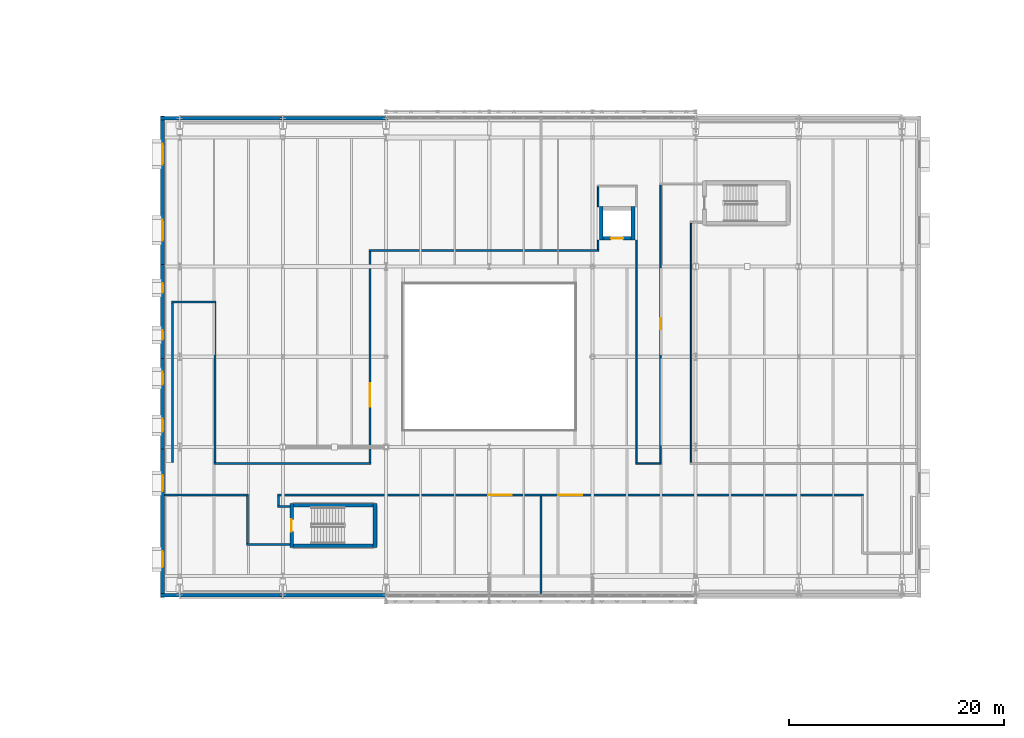
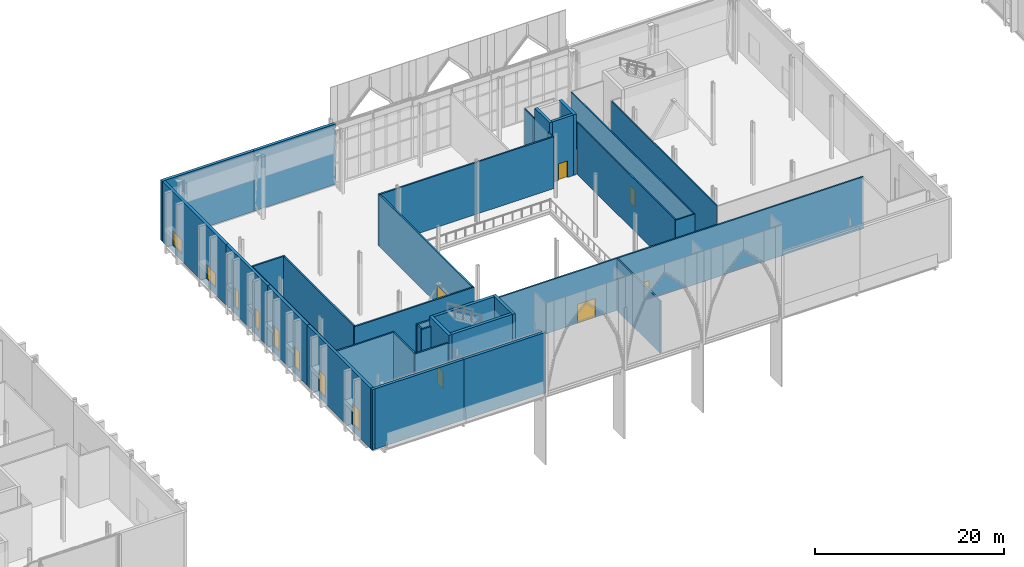
# One storey, part 59 of 79: 34 walls, 8 windows, 6 doors, 14 openings.
"""IFC4 building model written with IfcOpenShell, lengths in metres."""

from ifc_helpers import new_model, si_unit, direction, frame, frame_2d, origin, place, context, subcontext, project, spatial, rectangle, extrude, material, layer, layer_set, type_object, element, fill, save


model = new_model("IFC4")

# Units and contexts
model_context = context("Model", 3, precision=1e-05, world=origin(), true_north=direction((0.0, 1.0)))
body_context = subcontext(model_context, "Body", "Model", "MODEL_VIEW")
ifc_project = project(units=[si_unit("LENGTHUNIT", "METRE"), si_unit("AREAUNIT", "SQUARE_METRE"), si_unit("VOLUMEUNIT", "CUBIC_METRE"), si_unit("PLANEANGLEUNIT", "RADIAN"), si_unit("MASSUNIT", "GRAM", prefix="KILO")], contexts=[model_context])

# Site, building, storey
site_placement = place(None, origin())
site = spatial("IfcSite", under=ifc_project, at=site_placement, CompositionType="ELEMENT")
building_placement = place(site_placement, origin())
building = spatial("IfcBuilding", under=site, at=building_placement, Name="Zereglee Splitstone Museum", CompositionType="ELEMENT")
storey_placement = place(building_placement, frame((0.0, 0.0, 9.0)))
storey = spatial("IfcBuildingStorey", under=building, at=storey_placement, Name="L02", CompositionType="ELEMENT", Elevation=9.0)

# Wall, opening, door
ifc_material_1 = material(Name="Concrete C45/55", Category="concrete")
ifc_layer_1 = layer(ifc_material_1, 0.360107421875)
ifc_layer_set_1 = layer_set([ifc_layer_1], Name="Concrete C45/55")
wall_type_1 = type_object("IfcWallType", Name="CSW-02", PredefinedType="SHEAR", material=ifc_layer_set_1)
wall_1_placement = place(storey_placement, frame((88.419921875, 12.239990234375, 0.0), z_axis=(0.0, 0.0, 1.0), x_axis=(0.0, 1.0, 0.0)))
wall_1 = element("IfcWall", 1, at=wall_1_placement, inside=storey, type_object=wall_type_1, Name="Stair Core Shear Wall ST-06 L02 West", PredefinedType="SHEAR", context=body_context, shape_type="SweptSolid", body=[
    extrude(rectangle(XDim=4.1201171875, YDim=0.360107421875, at=frame_2d((2.06005859375, 0.0))), origin(), (0.0, 0.0, 1.0), 7.820068359375),
])
opening_1_placement = place(wall_1_placement, frame((1.485107421875, 0.0, 0.0)))
opening_1 = element("IfcOpeningElement", 2, at=opening_1_placement, cuts=wall_1, Name="Opening ID-03", PredefinedType="OPENING", context=body_context, shape_type="SweptSolid", body=[
    extrude(rectangle(XDim=1.14990234375, YDim=2.14990234375, at=frame_2d((0.574951171875, 1.074951171875))), frame((0.0, 0.19482421875, 0.0), z_axis=(0.0, -1.0, 0.0), x_axis=(1.0, 0.0, 0.0)), (0.0, 0.0, 1.0), 0.389892578125),
])
ifc_material_2 = material(Name="Fire-rated steel and Siberian larch leaf", Category="steel")
door_type_1 = type_object("IfcDoorType", Name="ID-03", OperationType="NOTDEFINED", PredefinedType="DOOR", material=ifc_material_2)
door_1_placement = place(opening_1_placement, origin())
door_1 = element("IfcDoor", 3, at=door_1_placement, inside=storey, type_object=door_type_1, Name="Protected Stair Fire Door ST-06 L02", OperationType="SINGLE_SWING_RIGHT", OverallHeight=2.14990234375, OverallWidth=1.14990234375, PredefinedType="DOOR", context=body_context, shape_type="SweptSolid", body=[
    extrude(rectangle(XDim=1.14990234375, YDim=2.14990234375, at=frame_2d((0.574951171875, 1.074951171875))), frame((0.0, 0.02490234375, 0.0), z_axis=(0.0, -1.0, 0.0), x_axis=(1.0, 0.0, 0.0)), (0.0, 0.0, 1.0), 0.050048828125),
])
fill(opening_1, door_1)

# Walls
wall_2_placement = place(storey_placement, frame((96.179931640625, 12.239990234375, 0.0), z_axis=(0.0, 0.0, 1.0), x_axis=(0.0, 1.0, 0.0)))
element("IfcWall", 4, at=wall_2_placement, inside=storey, type_object=wall_type_1, Name="Stair Core Shear Wall ST-06 L02 East", PredefinedType="SHEAR", context=body_context, shape_type="SweptSolid", body=[
    extrude(rectangle(XDim=4.1201171875, YDim=0.360107421875, at=frame_2d((2.06005859375, 0.0))), origin(), (0.0, 0.0, 1.0), 7.820068359375),
])
for number, where, z_axis, x_axis, name in (
    (5, (88.60009765625, 16.179931640625, 0.0), (0.0, 0.0, 1.0), (1.0, 0.0, 0.0), "Stair Core Shear Wall ST-06 L02 North"),
    (6, (88.60009765625, 12.419921875, 0.0), (0.0, 0.0, 1.0), (1.0, 0.0, 0.0), "Stair Core Shear Wall ST-06 L02 South"),
):
    element("IfcWall", number, at=place(storey_placement, frame(where, z_axis=z_axis, x_axis=x_axis)), inside=storey, type_object=wall_type_1, Name=name, PredefinedType="SHEAR", context=body_context, shape_type="SweptSolid", body=[
        extrude(rectangle(XDim=7.39990234375, YDim=0.360107421875, at=frame_2d((3.699951171875, 0.0))), origin(), (0.0, 0.0, 1.0), 7.820068359375),
    ])

# Wall, opening, door
wall_3_placement = place(storey_placement, frame((117.39990234375, 41.02001953125, 0.0), z_axis=(0.0, 0.0, 1.0), x_axis=(1.0, 0.0, 0.0)))
wall_3 = element("IfcWall", 7, at=wall_3_placement, inside=storey, type_object=wall_type_1, Name="Lift Shaft Wall PL-02 L02 South", PredefinedType="SHEAR", context=body_context, shape_type="SweptSolid", body=[
    extrude(rectangle(XDim=2.60009765625, YDim=0.360107421875, at=frame_2d((1.300048828125, 0.0))), origin(), (0.0, 0.0, 1.0), 7.820068359375),
])
opening_2_placement = place(wall_3_placement, frame((0.75, 0.0, 0.0)))
opening_2 = element("IfcOpeningElement", 8, at=opening_2_placement, cuts=wall_3, Name="Opening LD-01", PredefinedType="OPENING", context=body_context, shape_type="SweptSolid", body=[
    extrude(rectangle(XDim=1.10009765625, YDim=2.14990234375, at=frame_2d((0.550048828125, 1.074951171875))), frame((0.0, 0.19482421875, 0.0), z_axis=(0.0, -1.0, 0.0), x_axis=(1.0, 0.0, 0.0)), (0.0, 0.0, 1.0), 0.389892578125),
])
door_type_2 = type_object("IfcDoorType", Name="LD-01", OperationType="DOUBLE_DOOR_SLIDING", PredefinedType="DOOR", material=ifc_material_2)
door_2_placement = place(opening_2_placement, origin())
door_2 = element("IfcDoor", 9, at=door_2_placement, inside=storey, type_object=door_type_2, Name="Lift Landing Sliding Door PL-02 L02", OperationType="DOUBLE_DOOR_SLIDING", OverallHeight=2.14990234375, OverallWidth=1.10009765625, PredefinedType="DOOR", context=body_context, shape_type="SweptSolid", body=[
    extrude(rectangle(XDim=1.10009765625, YDim=2.14990234375, at=frame_2d((0.550048828125, 1.074951171875))), frame((0.0, 0.02490234375, 0.0), z_axis=(0.0, -1.0, 0.0), x_axis=(1.0, 0.0, 0.0)), (0.0, 0.0, 1.0), 0.050048828125),
])
fill(opening_2, door_2)

# Walls
for number, where, z_axis, x_axis, name in (
    (10, (117.219970703125, 40.840087890625, 0.0), (0.0, 0.0, 1.0), (0.0, 1.0, 0.0), "Lift Shaft Wall PL-02 L02 West"),
    (11, (120.179931640625, 40.840087890625, 0.0), (0.0, 0.0, 1.0), (0.0, 1.0, 0.0), "Lift Shaft Wall PL-02 L02 East"),
):
    element("IfcWall", number, at=place(storey_placement, frame(where, z_axis=z_axis, x_axis=x_axis)), inside=storey, type_object=wall_type_1, Name=name, PredefinedType="SHEAR", context=body_context, shape_type="SweptSolid", body=[
        extrude(rectangle(XDim=3.119873046875, YDim=0.360107421875, at=frame_2d((1.56005859375, 0.0))), origin(), (0.0, 0.0, 1.0), 7.820068359375),
    ])

# Wall, openings, windows
ifc_material_3 = material(Name="Precast concrete C40/50", Category="concrete")
ifc_layer_2 = layer(ifc_material_3, 0.35009765625)
ifc_layer_set_2 = layer_set([ifc_layer_2], Name="Precast concrete C40/50")
wall_type_2 = type_object("IfcWallType", Name="EW-01", PredefinedType="STANDARD", material=ifc_layer_set_2)
wall_4_placement = place(storey_placement, frame((76.39990234375, 52.3798828125, 0.0), z_axis=(0.0, 0.0, 1.0), x_axis=(0.0, -1.0, 0.0)))
wall_4 = element("IfcWall", 12, at=wall_4_placement, inside=storey, type_object=wall_type_2, Name="Exterior Backup Wall RC4-EW-L02-0148", PredefinedType="STANDARD", context=body_context, shape_type="SweptSolid", body=[
    extrude(rectangle(XDim=14.159912109375, YDim=0.35009765625, at=frame_2d((7.080078125, 0.0))), origin(), (0.0, 0.0, 1.0), 7.800048828125),
])
opening_3_placement = place(wall_4_placement, frame((2.56494140625, 0.0, 0.89990234375)))
opening_3 = element("IfcOpeningElement", 13, at=opening_3_placement, cuts=wall_4, Name="Opening EW-W19", PredefinedType="OPENING", context=body_context, shape_type="SweptSolid", body=[
    extrude(rectangle(XDim=1.949951171875, YDim=1.800048828125, at=frame_2d((0.97509765625, 0.89990234375))), frame((0.0, 0.18994140625, 0.0), z_axis=(0.0, -1.0, 0.0), x_axis=(1.0, 0.0, 0.0)), (0.0, 0.0, 1.0), 0.3798828125),
])
opening_4_placement = place(wall_4_placement, frame((9.64501953125, 0.0, 0.89990234375)))
opening_4 = element("IfcOpeningElement", 14, at=opening_4_placement, cuts=wall_4, Name="Opening EW-W19", PredefinedType="OPENING", context=body_context, shape_type="SweptSolid", body=[
    extrude(rectangle(XDim=1.949951171875, YDim=1.800048828125, at=frame_2d((0.97509765625, 0.89990234375))), frame((0.0, 0.18994140625, 0.0), z_axis=(0.0, -1.0, 0.0), x_axis=(1.0, 0.0, 0.0)), (0.0, 0.0, 1.0), 0.3798828125),
])
ifc_material_4 = material(Name="Thermally broken aluminium frame with triple low-e glazing", Category="aluminium")
window_type_1 = type_object("IfcWindowType", Name="EW-W19", PartitioningType="DOUBLE_PANEL_VERTICAL", PredefinedType="WINDOW", material=ifc_material_4)
window_1_placement = place(opening_3_placement, origin())
window_1 = element("IfcWindow", 15, at=window_1_placement, inside=storey, type_object=window_type_1, Name="Mughal Deep-Reveal Gallery Window L02-0093", OverallHeight=1.800048828125, OverallWidth=1.949951171875, PartitioningType="SINGLE_PANEL", PredefinedType="WINDOW", context=body_context, shape_type="SweptSolid", body=[
    extrude(rectangle(XDim=1.949951171875, YDim=1.800048828125, at=frame_2d((0.97509765625, 0.89990234375))), frame((0.0, 0.030029296875, 0.0), z_axis=(0.0, -1.0, 0.0), x_axis=(1.0, 0.0, 0.0)), (0.0, 0.0, 1.0), 0.06005859375),
])
fill(opening_3, window_1)
window_2_placement = place(opening_4_placement, origin())
window_2 = element("IfcWindow", 16, at=window_2_placement, inside=storey, type_object=window_type_1, Name="Mughal Deep-Reveal Gallery Window L02-0094", OverallHeight=1.800048828125, OverallWidth=1.949951171875, PartitioningType="SINGLE_PANEL", PredefinedType="WINDOW", context=body_context, shape_type="SweptSolid", body=[
    extrude(rectangle(XDim=1.949951171875, YDim=1.800048828125, at=frame_2d((0.97509765625, 0.89990234375))), frame((0.0, 0.030029296875, 0.0), z_axis=(0.0, -1.0, 0.0), x_axis=(1.0, 0.0, 0.0)), (0.0, 0.0, 1.0), 0.06005859375),
])
fill(opening_4, window_2)

wall_5_placement = place(storey_placement, frame((76.39990234375, 38.580078125, 0.0), z_axis=(0.0, 0.0, 1.0), x_axis=(0.0, -1.0, 0.0)))
wall_5 = element("IfcWall", 17, at=wall_5_placement, inside=storey, type_object=wall_type_2, Name="Exterior Backup Wall RC4-EW-L02-0149", PredefinedType="STANDARD", context=body_context, shape_type="SweptSolid", body=[
    extrude(rectangle(XDim=8.760009765625, YDim=0.35009765625, at=frame_2d((4.3798828125, 0.0))), origin(), (0.0, 0.0, 1.0), 7.800048828125),
])
opening_5_placement = place(wall_5_placement, frame((1.739990234375, 0.0, 0.89990234375)))
opening_5 = element("IfcOpeningElement", 18, at=opening_5_placement, cuts=wall_5, Name="Opening EW-W01", PredefinedType="OPENING", context=body_context, shape_type="SweptSolid", body=[
    extrude(rectangle(XDim=0.89990234375, YDim=2.39990234375, at=frame_2d((0.449951171875, 1.199951171875))), frame((0.0, 0.18994140625, 0.0), z_axis=(0.0, -1.0, 0.0), x_axis=(1.0, 0.0, 0.0)), (0.0, 0.0, 1.0), 0.3798828125),
])
opening_6_placement = place(wall_5_placement, frame((6.1201171875, 0.0, 0.89990234375)))
opening_6 = element("IfcOpeningElement", 19, at=opening_6_placement, cuts=wall_5, Name="Opening EW-W01", PredefinedType="OPENING", context=body_context, shape_type="SweptSolid", body=[
    extrude(rectangle(XDim=0.89990234375, YDim=2.39990234375, at=frame_2d((0.449951171875, 1.199951171875))), frame((0.0, 0.18994140625, 0.0), z_axis=(0.0, -1.0, 0.0), x_axis=(1.0, 0.0, 0.0)), (0.0, 0.0, 1.0), 0.3798828125),
])
window_type_2 = type_object("IfcWindowType", Name="EW-W01", PartitioningType="SINGLE_PANEL", PredefinedType="WINDOW", material=ifc_material_4)
window_3_placement = place(opening_5_placement, origin())
window_3 = element("IfcWindow", 20, at=window_3_placement, inside=storey, type_object=window_type_2, Name="Mughal Deep-Reveal Gallery Window L02-0095", OverallHeight=2.39990234375, OverallWidth=0.89990234375, PartitioningType="SINGLE_PANEL", PredefinedType="WINDOW", context=body_context, shape_type="SweptSolid", body=[
    extrude(rectangle(XDim=0.89990234375, YDim=2.39990234375, at=frame_2d((0.449951171875, 1.199951171875))), frame((0.0, 0.030029296875, 0.0), z_axis=(0.0, -1.0, 0.0), x_axis=(1.0, 0.0, 0.0)), (0.0, 0.0, 1.0), 0.06005859375),
])
fill(opening_5, window_3)
window_4_placement = place(opening_6_placement, origin())
window_4 = element("IfcWindow", 21, at=window_4_placement, inside=storey, type_object=window_type_2, Name="Mughal Deep-Reveal Gallery Window L02-0096", OverallHeight=2.39990234375, OverallWidth=0.89990234375, PartitioningType="SINGLE_PANEL", PredefinedType="WINDOW", context=body_context, shape_type="SweptSolid", body=[
    extrude(rectangle(XDim=0.89990234375, YDim=2.39990234375, at=frame_2d((0.449951171875, 1.199951171875))), frame((0.0, 0.030029296875, 0.0), z_axis=(0.0, -1.0, 0.0), x_axis=(1.0, 0.0, 0.0)), (0.0, 0.0, 1.0), 0.06005859375),
])
fill(opening_6, window_4)

wall_6_placement = place(storey_placement, frame((76.39990234375, 30.179931640625, 0.0), z_axis=(0.0, 0.0, 1.0), x_axis=(0.0, -1.0, 0.0)))
wall_6 = element("IfcWall", 22, at=wall_6_placement, inside=storey, type_object=wall_type_2, Name="Exterior Backup Wall RC4-EW-L02-0150", PredefinedType="STANDARD", context=body_context, shape_type="SweptSolid", body=[
    extrude(rectangle(XDim=8.760009765625, YDim=0.35009765625, at=frame_2d((4.3798828125, 0.0))), origin(), (0.0, 0.0, 1.0), 7.800048828125),
])
opening_7_placement = place(wall_6_placement, frame((1.590087890625, 0.0, 0.800048828125)))
opening_7 = element("IfcOpeningElement", 23, at=opening_7_placement, cuts=wall_6, Name="Opening EW-W03", PredefinedType="OPENING", context=body_context, shape_type="SweptSolid", body=[
    extrude(rectangle(XDim=1.199951171875, YDim=2.60009765625, at=frame_2d((0.60009765625, 1.300048828125))), frame((0.0, 0.18994140625, 0.0), z_axis=(0.0, -1.0, 0.0), x_axis=(1.0, 0.0, 0.0)), (0.0, 0.0, 1.0), 0.3798828125),
])
opening_8_placement = place(wall_6_placement, frame((5.969970703125, 0.0, 0.800048828125)))
opening_8 = element("IfcOpeningElement", 24, at=opening_8_placement, cuts=wall_6, Name="Opening EW-W03", PredefinedType="OPENING", context=body_context, shape_type="SweptSolid", body=[
    extrude(rectangle(XDim=1.199951171875, YDim=2.60009765625, at=frame_2d((0.60009765625, 1.300048828125))), frame((0.0, 0.18994140625, 0.0), z_axis=(0.0, -1.0, 0.0), x_axis=(1.0, 0.0, 0.0)), (0.0, 0.0, 1.0), 0.3798828125),
])
window_type_3 = type_object("IfcWindowType", Name="EW-W03", PartitioningType="DOUBLE_PANEL_VERTICAL", PredefinedType="WINDOW", material=ifc_material_4)
window_5_placement = place(opening_7_placement, origin())
window_5 = element("IfcWindow", 25, at=window_5_placement, inside=storey, type_object=window_type_3, Name="Mughal Deep-Reveal Gallery Window L02-0097", OverallHeight=2.60009765625, OverallWidth=1.199951171875, PartitioningType="SINGLE_PANEL", PredefinedType="WINDOW", context=body_context, shape_type="SweptSolid", body=[
    extrude(rectangle(XDim=1.199951171875, YDim=2.60009765625, at=frame_2d((0.60009765625, 1.300048828125))), frame((0.0, 0.030029296875, 0.0), z_axis=(0.0, -1.0, 0.0), x_axis=(1.0, 0.0, 0.0)), (0.0, 0.0, 1.0), 0.06005859375),
])
fill(opening_7, window_5)
window_6_placement = place(opening_8_placement, origin())
window_6 = element("IfcWindow", 26, at=window_6_placement, inside=storey, type_object=window_type_3, Name="Mughal Deep-Reveal Gallery Window L02-0098", OverallHeight=2.60009765625, OverallWidth=1.199951171875, PartitioningType="SINGLE_PANEL", PredefinedType="WINDOW", context=body_context, shape_type="SweptSolid", body=[
    extrude(rectangle(XDim=1.199951171875, YDim=2.60009765625, at=frame_2d((0.60009765625, 1.300048828125))), frame((0.0, 0.030029296875, 0.0), z_axis=(0.0, -1.0, 0.0), x_axis=(1.0, 0.0, 0.0)), (0.0, 0.0, 1.0), 0.06005859375),
])
fill(opening_8, window_6)

wall_7_placement = place(storey_placement, frame((76.39990234375, 21.780029296875, 0.0), z_axis=(0.0, 0.0, 1.0), x_axis=(0.0, -1.0, 0.0)))
wall_7 = element("IfcWall", 27, at=wall_7_placement, inside=storey, type_object=wall_type_2, Name="Exterior Backup Wall RC4-EW-L02-0151", PredefinedType="STANDARD", context=body_context, shape_type="SweptSolid", body=[
    extrude(rectangle(XDim=14.159912109375, YDim=0.35009765625, at=frame_2d((7.080078125, 0.0))), origin(), (0.0, 0.0, 1.0), 7.800048828125),
])
opening_9_placement = place(wall_7_placement, frame((2.7900390625, 0.0, 0.800048828125)))
opening_9 = element("IfcOpeningElement", 28, at=opening_9_placement, cuts=wall_7, Name="Opening EW-W05", PredefinedType="OPENING", context=body_context, shape_type="SweptSolid", body=[
    extrude(rectangle(XDim=1.5, YDim=2.699951171875, at=frame_2d((0.75, 1.35009765625))), frame((0.0, 0.18994140625, 0.0), z_axis=(0.0, -1.0, 0.0), x_axis=(1.0, 0.0, 0.0)), (0.0, 0.0, 1.0), 0.3798828125),
])
opening_10_placement = place(wall_7_placement, frame((9.8701171875, 0.0, 0.800048828125)))
opening_10 = element("IfcOpeningElement", 29, at=opening_10_placement, cuts=wall_7, Name="Opening EW-W05", PredefinedType="OPENING", context=body_context, shape_type="SweptSolid", body=[
    extrude(rectangle(XDim=1.5, YDim=2.699951171875, at=frame_2d((0.75, 1.35009765625))), frame((0.0, 0.18994140625, 0.0), z_axis=(0.0, -1.0, 0.0), x_axis=(1.0, 0.0, 0.0)), (0.0, 0.0, 1.0), 0.3798828125),
])
window_type_4 = type_object("IfcWindowType", Name="EW-W05", PartitioningType="DOUBLE_PANEL_VERTICAL", PredefinedType="WINDOW", material=ifc_material_4)
window_7_placement = place(opening_9_placement, origin())
window_7 = element("IfcWindow", 30, at=window_7_placement, inside=storey, type_object=window_type_4, Name="Mughal Deep-Reveal Gallery Window L02-0099", OverallHeight=2.699951171875, OverallWidth=1.5, PartitioningType="SINGLE_PANEL", PredefinedType="WINDOW", context=body_context, shape_type="SweptSolid", body=[
    extrude(rectangle(XDim=1.5, YDim=2.699951171875, at=frame_2d((0.75, 1.35009765625))), frame((0.0, 0.030029296875, 0.0), z_axis=(0.0, -1.0, 0.0), x_axis=(1.0, 0.0, 0.0)), (0.0, 0.0, 1.0), 0.06005859375),
])
fill(opening_9, window_7)
window_8_placement = place(opening_10_placement, origin())
window_8 = element("IfcWindow", 31, at=window_8_placement, inside=storey, type_object=window_type_4, Name="Mughal Deep-Reveal Gallery Window L02-0100", OverallHeight=2.699951171875, OverallWidth=1.5, PartitioningType="SINGLE_PANEL", PredefinedType="WINDOW", context=body_context, shape_type="SweptSolid", body=[
    extrude(rectangle(XDim=1.5, YDim=2.699951171875, at=frame_2d((0.75, 1.35009765625))), frame((0.0, 0.030029296875, 0.0), z_axis=(0.0, -1.0, 0.0), x_axis=(1.0, 0.0, 0.0)), (0.0, 0.0, 1.0), 0.06005859375),
])
fill(opening_10, window_8)

# Walls
wall_8_placement = place(storey_placement, frame((76.219970703125, 7.800048828125, 0.0), z_axis=(0.0, 0.0, 1.0), x_axis=(1.0, 0.0, 0.0)))
element("IfcWall", 32, at=wall_8_placement, inside=storey, type_object=wall_type_2, Name="Exterior Backup Wall RC4-EW-L02-0152", PredefinedType="STANDARD", context=body_context, shape_type="SweptSolid", body=[
    extrude(rectangle(XDim=11.56005859375, YDim=0.35009765625, at=frame_2d((5.780029296875, 0.0))), origin(), (0.0, 0.0, 1.0), 7.800048828125),
])
for number, where, z_axis, x_axis, name in (
    (33, (87.419921875, 7.800048828125, 0.0), (0.0, 0.0, 1.0), (1.0, 0.0, 0.0), "Exterior Backup Wall RC4-EW-L02-0153"),
    (34, (97.3798828125, 52.199951171875, 0.0), (0.0, 0.0, 1.0), (-1.0, 0.0, 0.0), "Exterior Backup Wall RC4-EW-L02-0162"),
):
    element("IfcWall", number, at=place(storey_placement, frame(where, z_axis=z_axis, x_axis=x_axis)), inside=storey, type_object=wall_type_2, Name=name, PredefinedType="STANDARD", context=body_context, shape_type="SweptSolid", body=[
        extrude(rectangle(XDim=9.9599609375, YDim=0.35009765625, at=frame_2d((4.97998046875, 0.0))), origin(), (0.0, 0.0, 1.0), 7.800048828125),
    ])
wall_9_placement = place(storey_placement, frame((87.780029296875, 52.199951171875, 0.0), z_axis=(0.0, 0.0, 1.0), x_axis=(-1.0, 0.0, 0.0)))
element("IfcWall", 35, at=wall_9_placement, inside=storey, type_object=wall_type_2, Name="Exterior Backup Wall RC4-EW-L02-0163", PredefinedType="STANDARD", context=body_context, shape_type="SweptSolid", body=[
    extrude(rectangle(XDim=11.56005859375, YDim=0.35009765625, at=frame_2d((5.780029296875, 0.0))), origin(), (0.0, 0.0, 1.0), 7.800048828125),
])
ifc_material_5 = material(Name="Fire-rated gypsum board partition", Category="masonry")
ifc_layer_3 = layer(ifc_material_5, 0.139892578125)
ifc_layer_set_3 = layer_set([ifc_layer_3], Name="Fire-rated gypsum board partition")
wall_type_3 = type_object("IfcWallType", Name="IW-05", PredefinedType="PARTITIONING", material=ifc_layer_set_3)
wall_10_placement = place(storey_placement, frame((120.409912109375, 20.080078125, 0.0), z_axis=(0.0, 0.0, 1.0), x_axis=(1.0, 0.0, 0.0)))
element("IfcWall", 36, at=wall_10_placement, inside=storey, type_object=wall_type_3, Name="Interior Partition L02-0481 (Research Reading Room)", PredefinedType="PARTITIONING", context=body_context, shape_type="SweptSolid", body=[
    extrude(rectangle(XDim=2.380126953125, YDim=0.139892578125, at=frame_2d((1.18994140625, 0.0))), origin(), (0.0, 0.0, 1.0), 6.699951171875),
])
wall_11_placement = place(storey_placement, frame((116.919921875, 39.97509765625, 0.0), z_axis=(0.0, 0.0, 1.0), x_axis=(0.0, 1.0, 0.0)))
element("IfcWall", 37, at=wall_11_placement, inside=storey, type_object=wall_type_3, Name="Interior Partition L02-0533 (Research Reading Room)", PredefinedType="PARTITIONING", context=body_context, shape_type="SweptSolid", body=[
    extrude(rectangle(XDim=0.864990234375, YDim=0.139892578125, at=frame_2d((0.4326171875, 0.0))), origin(), (0.0, 0.0, 1.0), 6.699951171875),
])
wall_12_placement = place(storey_placement, frame((116.919921875, 43.9599609375, 0.0), z_axis=(0.0, 0.0, 1.0), x_axis=(0.0, 1.0, 0.0)))
element("IfcWall", 38, at=wall_12_placement, inside=storey, type_object=wall_type_3, Name="Interior Partition L02-0534 (Research Reading Room)", PredefinedType="PARTITIONING", context=body_context, shape_type="SweptSolid", body=[
    extrude(rectangle(XDim=1.85009765625, YDim=0.139892578125, at=frame_2d((0.925048828125, 0.0))), origin(), (0.0, 0.0, 1.0), 6.699951171875),
])
wall_13_placement = place(storey_placement, frame((120.47998046875, 20.14990234375, 0.0), z_axis=(0.0, 0.0, 1.0), x_axis=(0.0, 1.0, 0.0)))
element("IfcWall", 39, at=wall_13_placement, inside=storey, type_object=wall_type_3, Name="Interior Partition L02-0535 (Research Reading Room)", PredefinedType="PARTITIONING", context=body_context, shape_type="SweptSolid", body=[
    extrude(rectangle(XDim=20.690185546875, YDim=0.139892578125, at=frame_2d((10.34521484375, 0.0))), origin(), (0.0, 0.0, 1.0), 6.699951171875),
])

# Wall, opening, door
wall_14_placement = place(storey_placement, frame((122.719970703125, 20.14990234375, 0.0), z_axis=(0.0, 0.0, 1.0), x_axis=(0.0, 1.0, 0.0)))
wall_14 = element("IfcWall", 40, at=wall_14_placement, inside=storey, type_object=wall_type_3, Name="Interior Partition L02-0537 (Research Reading Room)", PredefinedType="PARTITIONING", context=body_context, shape_type="SweptSolid", body=[
    extrude(rectangle(XDim=25.860107421875, YDim=0.139892578125, at=frame_2d((12.93017578125, 0.0))), origin(), (0.0, 0.0, 1.0), 6.699951171875),
])
opening_11_placement = place(wall_14_placement, frame((12.429931640625, 0.0, 0.0)))
opening_11 = element("IfcOpeningElement", 41, at=opening_11_placement, cuts=wall_14, Name="Opening ID-10", PredefinedType="OPENING", context=body_context, shape_type="SweptSolid", body=[
    extrude(rectangle(XDim=1.0, YDim=2.14990234375, at=frame_2d((0.5, 1.074951171875))), frame((0.0, 0.0849609375, 0.0), z_axis=(0.0, -1.0, 0.0), x_axis=(1.0, 0.0, 0.0)), (0.0, 0.0, 1.0), 0.169677734375),
])
ifc_material_6 = material(Name="Siberian larch acoustic timber leaf in bronze-steel frame", Category="steel")
door_type_3 = type_object("IfcDoorType", Name="ID-10", OperationType="NOTDEFINED", PredefinedType="DOOR", material=ifc_material_6)
door_3_placement = place(opening_11_placement, origin())
door_3 = element("IfcDoor", 42, at=door_3_placement, inside=storey, type_object=door_type_3, Name="Interior Door L02-0089 (Research Reading Room)", OperationType="SINGLE_SWING_RIGHT", OverallHeight=2.14990234375, OverallWidth=1.0, PredefinedType="DOOR", context=body_context, shape_type="SweptSolid", body=[
    extrude(rectangle(XDim=1.0, YDim=2.14990234375, at=frame_2d((0.5, 1.074951171875))), frame((0.0, 0.02490234375, 0.0), z_axis=(0.0, -1.0, 0.0), x_axis=(1.0, 0.0, 0.0)), (0.0, 0.0, 1.0), 0.050048828125),
])
fill(opening_11, door_3)

# Walls
wall_15_placement = place(storey_placement, frame((125.580078125, 20.14990234375, 0.0), z_axis=(0.0, 0.0, 1.0), x_axis=(0.0, 1.0, 0.0)))
element("IfcWall", 43, at=wall_15_placement, inside=storey, type_object=wall_type_3, Name="Interior Partition L02-0538 (Research Reading Room)", PredefinedType="PARTITIONING", context=body_context, shape_type="SweptSolid", body=[
    extrude(rectangle(XDim=22.300048828125, YDim=0.139892578125, at=frame_2d((11.14990234375, 0.0))), origin(), (0.0, 0.0, 1.0), 6.699951171875),
])
ifc_material_7 = material(Name="Gypsum board on acoustic steel stud", Category="steel")
ifc_layer_4 = layer(ifc_material_7, 0.18994140625)
ifc_layer_set_4 = layer_set([ifc_layer_4], Name="Gypsum board on acoustic steel stud")
wall_type_4 = type_object("IfcWallType", Name="IW-02", PredefinedType="PARTITIONING", material=ifc_layer_set_4)
wall_16_placement = place(storey_placement, frame((84.22509765625, 12.52001953125, 0.0), z_axis=(0.0, 0.0, 1.0), x_axis=(1.0, 0.0, 0.0)))
element("IfcWall", 44, at=wall_16_placement, inside=storey, type_object=wall_type_4, Name="Interior Partition L02-0463 (Silk Road Decorative Arts Gallery)", PredefinedType="PARTITIONING", context=body_context, shape_type="SweptSolid", body=[
    extrude(rectangle(XDim=4.014892578125, YDim=0.18994140625, at=frame_2d((2.00732421875, 0.0))), origin(), (0.0, 0.0, 1.0), 6.699951171875),
])
wall_17_placement = place(storey_placement, frame((87.0849609375, 16.080078125, 0.0), z_axis=(0.0, 0.0, 1.0), x_axis=(1.0, 0.0, 0.0)))
element("IfcWall", 45, at=wall_17_placement, inside=storey, type_object=wall_type_4, Name="Interior Partition L02-0470 (Silk Road Decorative Arts Gallery)", PredefinedType="PARTITIONING", context=body_context, shape_type="SweptSolid", body=[
    extrude(rectangle(XDim=1.155029296875, YDim=0.18994140625, at=frame_2d((0.57763671875, 0.0))), origin(), (0.0, 0.0, 1.0), 6.699951171875),
])
wall_18_placement = place(storey_placement, frame((76.574951171875, 17.1201171875, 0.0), z_axis=(0.0, 0.0, 1.0), x_axis=(1.0, 0.0, 0.0)))
element("IfcWall", 46, at=wall_18_placement, inside=storey, type_object=wall_type_4, Name="Interior Partition L02-0476 (Silk Road Decorative Arts Gallery)", PredefinedType="PARTITIONING", context=body_context, shape_type="SweptSolid", body=[
    extrude(rectangle(XDim=7.840087890625, YDim=0.18994140625, at=frame_2d((3.919921875, 0.0))), origin(), (0.0, 0.0, 1.0), 6.699951171875),
])

# Wall, openings, doors
wall_19_placement = place(storey_placement, frame((87.0849609375, 17.1201171875, 0.0), z_axis=(0.0, 0.0, 1.0), x_axis=(1.0, 0.0, 0.0)))
wall_19 = element("IfcWall", 47, at=wall_19_placement, inside=storey, type_object=wall_type_4, Name="Interior Partition L02-0477 (Silk Road Decorative Arts Gallery)", PredefinedType="PARTITIONING", context=body_context, shape_type="SweptSolid", body=[
    extrude(rectangle(XDim=54.530029296875, YDim=0.18994140625, at=frame_2d((27.26513671875, 0.0))), origin(), (0.0, 0.0, 1.0), 6.699951171875),
])
opening_12_placement = place(wall_19_placement, frame((19.621337890625, 0.0, 0.0)))
opening_12 = element("IfcOpeningElement", 48, at=opening_12_placement, cuts=wall_19, Name="Opening ID-01", PredefinedType="OPENING", context=body_context, shape_type="SweptSolid", body=[
    extrude(rectangle(XDim=2.199951171875, YDim=2.449951171875, at=frame_2d((1.10009765625, 1.22509765625))), frame((0.0, 0.10986328125, 0.0), z_axis=(0.0, -1.0, 0.0), x_axis=(1.0, 0.0, 0.0)), (0.0, 0.0, 1.0), 0.2197265625),
])
opening_13_placement = place(wall_19_placement, frame((26.1650390625, 0.0, 0.0)))
opening_13 = element("IfcOpeningElement", 49, at=opening_13_placement, cuts=wall_19, Name="Opening ID-01", PredefinedType="OPENING", context=body_context, shape_type="SweptSolid", body=[
    extrude(rectangle(XDim=2.199951171875, YDim=2.449951171875, at=frame_2d((1.10009765625, 1.22509765625))), frame((0.0, 0.10986328125, 0.0), z_axis=(0.0, -1.0, 0.0), x_axis=(1.0, 0.0, 0.0)), (0.0, 0.0, 1.0), 0.2197265625),
])
door_type_4 = type_object("IfcDoorType", Name="ID-01", OperationType="NOTDEFINED", PredefinedType="DOOR", material=ifc_material_2)
door_4_placement = place(opening_12_placement, frame((2.199951171875, 0.0, 0.0), z_axis=(0.0, 0.0, 1.0), x_axis=(-1.0, 0.0, 0.0)))
door_4 = element("IfcDoor", 50, at=door_4_placement, inside=storey, type_object=door_type_4, Name="Interior Door L02-0086 (Silk Road Decorative Arts Gallery)", OperationType="DOUBLE_DOOR_SINGLE_SWING", OverallHeight=2.449951171875, OverallWidth=2.199951171875, PredefinedType="DOOR", context=body_context, shape_type="SweptSolid", body=[
    extrude(rectangle(XDim=2.199951171875, YDim=2.449951171875, at=frame_2d((1.10009765625, 1.22509765625))), frame((0.0, 0.02490234375, 0.0), z_axis=(0.0, -1.0, 0.0), x_axis=(1.0, 0.0, 0.0)), (0.0, 0.0, 1.0), 0.050048828125),
])
fill(opening_12, door_4)
door_5_placement = place(opening_13_placement, frame((2.199951171875, 0.0, 0.0), z_axis=(0.0, 0.0, 1.0), x_axis=(-1.0, 0.0, 0.0)))
door_5 = element("IfcDoor", 51, at=door_5_placement, inside=storey, type_object=door_type_4, Name="Interior Door L02-0087 (Monumental Stone Inscription Gallery)", OperationType="DOUBLE_DOOR_SINGLE_SWING", OverallHeight=2.449951171875, OverallWidth=2.199951171875, PredefinedType="DOOR", context=body_context, shape_type="SweptSolid", body=[
    extrude(rectangle(XDim=2.199951171875, YDim=2.449951171875, at=frame_2d((1.10009765625, 1.22509765625))), frame((0.0, 0.02490234375, 0.0), z_axis=(0.0, -1.0, 0.0), x_axis=(1.0, 0.0, 0.0)), (0.0, 0.0, 1.0), 0.050048828125),
])
fill(opening_13, door_5)

# Walls
wall_20_placement = place(storey_placement, frame((81.18505859375, 20.080078125, 0.0), z_axis=(0.0, 0.0, 1.0), x_axis=(1.0, 0.0, 0.0)))
element("IfcWall", 52, at=wall_20_placement, inside=storey, type_object=wall_type_4, Name="Interior Partition L02-0480 (Temporary Exhibition Gallery)", PredefinedType="PARTITIONING", context=body_context, shape_type="SweptSolid", body=[
    extrude(rectangle(XDim=14.6298828125, YDim=0.18994140625, at=frame_2d((7.31494140625, 0.0))), origin(), (0.0, 0.0, 1.0), 6.699951171875),
])
wall_21_placement = place(storey_placement, frame((77.22509765625, 35.080078125, 0.0), z_axis=(0.0, 0.0, 1.0), x_axis=(1.0, 0.0, 0.0)))
element("IfcWall", 53, at=wall_21_placement, inside=storey, type_object=wall_type_4, Name="Interior Partition L02-0498 (Temporary Exhibition Gallery)", PredefinedType="PARTITIONING", context=body_context, shape_type="SweptSolid", body=[
    extrude(rectangle(XDim=4.14990234375, YDim=0.18994140625, at=frame_2d((2.074951171875, 0.0))), origin(), (0.0, 0.0, 1.0), 6.699951171875),
])
wall_22_placement = place(storey_placement, frame((95.625, 39.8798828125, 0.0), z_axis=(0.0, 0.0, 1.0), x_axis=(1.0, 0.0, 0.0)))
element("IfcWall", 54, at=wall_22_placement, inside=storey, type_object=wall_type_4, Name="Interior Partition L02-0501 (Temporary Exhibition Gallery)", PredefinedType="PARTITIONING", context=body_context, shape_type="SweptSolid", body=[
    extrude(rectangle(XDim=21.364990234375, YDim=0.18994140625, at=frame_2d((10.6826171875, 0.0))), origin(), (0.0, 0.0, 1.0), 6.699951171875),
])
wall_23_placement = place(storey_placement, frame((77.320068359375, 20.159912109375, 0.0), z_axis=(0.0, 0.0, 1.0), x_axis=(0.0, 1.0, 0.0)))
element("IfcWall", 55, at=wall_23_placement, inside=storey, type_object=wall_type_4, Name="Interior Partition L02-0526 (Temporary Exhibition Gallery)", PredefinedType="PARTITIONING", context=body_context, shape_type="SweptSolid", body=[
    extrude(rectangle(XDim=14.8251953125, YDim=0.18994140625, at=frame_2d((7.41259765625, 0.0))), origin(), (0.0, 0.0, 1.0), 6.699951171875),
])
wall_24_placement = place(storey_placement, frame((81.280029296875, 20.175048828125, 0.0), z_axis=(0.0, 0.0, 1.0), x_axis=(0.0, 1.0, 0.0)))
element("IfcWall", 56, at=wall_24_placement, inside=storey, type_object=wall_type_4, Name="Interior Partition L02-0527 (Temporary Exhibition Gallery)", PredefinedType="PARTITIONING", context=body_context, shape_type="SweptSolid", body=[
    extrude(rectangle(XDim=14.81005859375, YDim=0.18994140625, at=frame_2d((7.405029296875, 0.0))), origin(), (0.0, 0.0, 1.0), 6.699951171875),
])
wall_25_placement = place(storey_placement, frame((84.320068359375, 12.614990234375, 0.0), z_axis=(0.0, 0.0, 1.0), x_axis=(0.0, 1.0, 0.0)))
element("IfcWall", 57, at=wall_25_placement, inside=storey, type_object=wall_type_4, Name="Interior Partition L02-0528 (Silk Road Decorative Arts Gallery)", PredefinedType="PARTITIONING", context=body_context, shape_type="SweptSolid", body=[
    extrude(rectangle(XDim=4.409912109375, YDim=0.18994140625, at=frame_2d((2.205078125, 0.0))), origin(), (0.0, 0.0, 1.0), 6.699951171875),
])
wall_26_placement = place(storey_placement, frame((87.179931640625, 16.175048828125, 0.0), z_axis=(0.0, 0.0, 1.0), x_axis=(0.0, 1.0, 0.0)))
element("IfcWall", 58, at=wall_26_placement, inside=storey, type_object=wall_type_4, Name="Interior Partition L02-0529 (Silk Road Decorative Arts Gallery)", PredefinedType="PARTITIONING", context=body_context, shape_type="SweptSolid", body=[
    extrude(rectangle(XDim=0.849853515625, YDim=0.18994140625, at=frame_2d((0.4248046875, 0.0))), origin(), (0.0, 0.0, 1.0), 6.699951171875),
])

# Wall, opening, door
wall_27_placement = place(storey_placement, frame((95.719970703125, 20.175048828125, 0.0), z_axis=(0.0, 0.0, 1.0), x_axis=(0.0, 1.0, 0.0)))
wall_27 = element("IfcWall", 59, at=wall_27_placement, inside=storey, type_object=wall_type_4, Name="Interior Partition L02-0530 (Temporary Exhibition Gallery)", PredefinedType="PARTITIONING", context=body_context, shape_type="SweptSolid", body=[
    extrude(rectangle(XDim=19.60986328125, YDim=0.18994140625, at=frame_2d((9.804931640625, 0.0))), origin(), (0.0, 0.0, 1.0), 6.699951171875),
])
opening_14_placement = place(wall_27_placement, frame((5.17529296875, 0.0, 0.0)))
opening_14 = element("IfcOpeningElement", 60, at=opening_14_placement, cuts=wall_27, Name="Opening ID-01", PredefinedType="OPENING", context=body_context, shape_type="SweptSolid", body=[
    extrude(rectangle(XDim=2.199951171875, YDim=2.449951171875, at=frame_2d((1.10009765625, 1.22509765625))), frame((0.0, 0.10986328125, 0.0), z_axis=(0.0, -1.0, 0.0), x_axis=(1.0, 0.0, 0.0)), (0.0, 0.0, 1.0), 0.2197265625),
])
door_6_placement = place(opening_14_placement, origin())
door_6 = element("IfcDoor", 61, at=door_6_placement, inside=storey, type_object=door_type_4, Name="Interior Door L02-0088 (Temporary Exhibition Gallery)", OperationType="DOUBLE_DOOR_SINGLE_SWING", OverallHeight=2.449951171875, OverallWidth=2.199951171875, PredefinedType="DOOR", context=body_context, shape_type="SweptSolid", body=[
    extrude(rectangle(XDim=2.199951171875, YDim=2.449951171875, at=frame_2d((1.10009765625, 1.22509765625))), frame((0.0, 0.02490234375, 0.0), z_axis=(0.0, -1.0, 0.0), x_axis=(1.0, 0.0, 0.0)), (0.0, 0.0, 1.0), 0.050048828125),
])
fill(opening_14, door_6)

# Wall
wall_28_placement = place(storey_placement, frame((111.60009765625, 7.889892578125, 0.0), z_axis=(0.0, 0.0, 1.0), x_axis=(0.0, 1.0, 0.0)))
element("IfcWall", 62, at=wall_28_placement, inside=storey, type_object=wall_type_4, Name="Interior Partition L02-0531 (Silk Road Decorative Arts Gallery)", PredefinedType="PARTITIONING", context=body_context, shape_type="SweptSolid", body=[
    extrude(rectangle(XDim=9.135009765625, YDim=0.18994140625, at=frame_2d((4.5673828125, 0.0))), origin(), (0.0, 0.0, 1.0), 6.699951171875),
])

save(model, "model.ifc")
